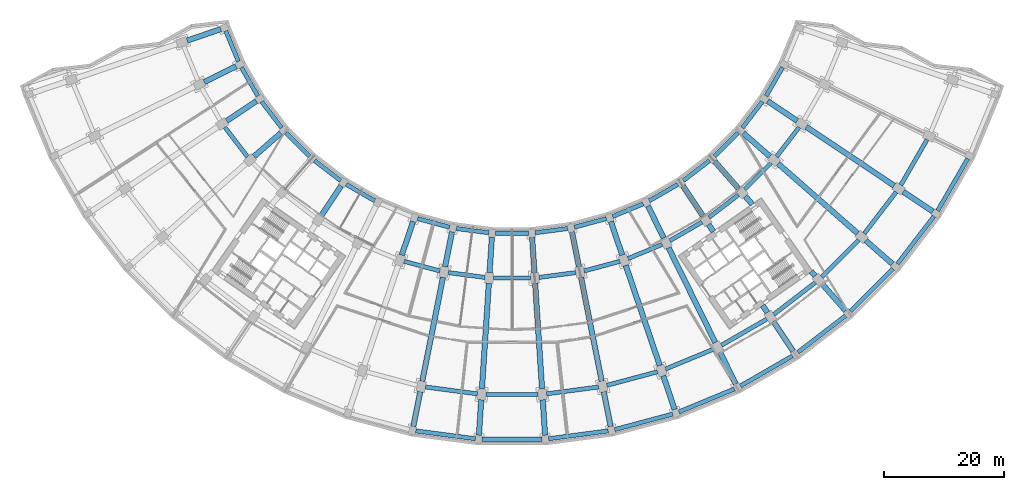
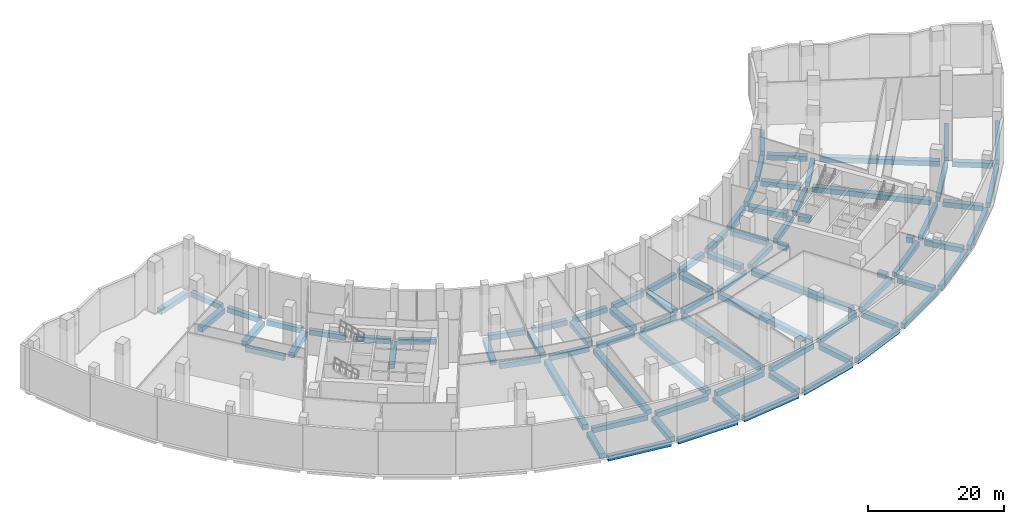
# One storey, part 2 of 19: 86 beams.
"""IFC4 building model written with IfcOpenShell, lengths in metres."""

from ifc_helpers import new_model, si_unit, direction, frame, origin, origin_2d, place, context, subcontext, project, spatial, rectangle, extrude, material, material_profile, profile_set, type_object, element, save


model = new_model("IFC4")

# Units and contexts
model_context = context("Model", 3, precision=1e-05, world=origin(), true_north=direction((0.0, 1.0)))
body_context = subcontext(model_context, "Body", "Model", "MODEL_VIEW")
ifc_project = project(units=[si_unit("LENGTHUNIT", "METRE"), si_unit("AREAUNIT", "SQUARE_METRE"), si_unit("VOLUMEUNIT", "CUBIC_METRE"), si_unit("PLANEANGLEUNIT", "RADIAN"), si_unit("MASSUNIT", "GRAM", prefix="KILO")], contexts=[model_context])

# Site, building, storey
site_placement = place(None, origin())
site = spatial("IfcSite", under=ifc_project, at=site_placement, CompositionType="ELEMENT")
building_placement = place(site_placement, origin())
building = spatial("IfcBuilding", under=site, at=building_placement, Name="Qamariyya Broadcast Tower", CompositionType="ELEMENT")
storey_placement = place(building_placement, frame((0.0, 0.0, 9.0)))
storey = spatial("IfcBuildingStorey", under=building, at=storey_placement, Name="L01", CompositionType="ELEMENT", Elevation=9.0)

# Beams
ifc_material = material(Name="Concrete C50/60", Category="concrete")
ifc_material_profile_1 = material_profile(ifc_material, rectangle(XDim=0.699951171875, YDim=0.89990234375, at=origin_2d()))
ifc_profile_set_1 = profile_set([ifc_material_profile_1], Name="Concrete C50/60")
beam_type_1 = type_object("IfcBeamType", Name="RC edge beam 700 x 900 C50/60", PredefinedType="SPANDREL", material=ifc_profile_set_1)
beam_1_placement = place(storey_placement, frame((-47.845703125, -16.822265625, -0.85009765625), z_axis=(0.382654292645, -0.92389160204, 0.0), x_axis=(0.92389160204, 0.382654292645, 0.0)))
element("IfcBeam", 1, at=beam_1_placement, inside=storey, type_object=beam_type_1, Name="Edge beam B2 L01 A R01-R02", PredefinedType="SPANDREL", context=body_context, shape_type="SweptSolid", body=[
    extrude(rectangle(XDim=0.699951171875, YDim=0.89990234375, at=origin_2d()), origin(), (0.0, 0.0, 1.0), 5.5361328125),
])
for number, where, z_axis, x_axis, name in (
    (2, (-45.24072265625, -22.923583984375, -0.85009765625), (0.500018944545, -0.86601446587, 0.0), (0.86601446587, 0.500018944545, 0.0), "Edge beam B2 L01 A R02-R03"),
    (3, (-41.861572265625, -28.632568359375, -0.85009765625), (0.60877682934, -0.793341522964, 0.0), (0.793341522964, 0.60877682934, 0.0), "Edge beam B2 L01 A R03-R04"),
):
    element("IfcBeam", number, at=place(storey_placement, frame(where, z_axis=z_axis, x_axis=x_axis)), inside=storey, type_object=beam_type_1, Name=name, PredefinedType="SPANDREL", context=body_context, shape_type="SweptSolid", body=[
        extrude(rectangle(XDim=0.699951171875, YDim=0.89990234375, at=origin_2d()), origin(), (0.0, 0.0, 1.0), 5.535888671875),
    ])
beam_2_placement = place(storey_placement, frame((-37.76611328125, -33.8515625, -0.85009765625), z_axis=(0.707106781187, -0.707106781187, 0.0), x_axis=(0.707106781187, 0.707106781187, 0.0)))
element("IfcBeam", 4, at=beam_2_placement, inside=storey, type_object=beam_type_1, Name="Edge beam B2 L01 A R04-R05", PredefinedType="SPANDREL", context=body_context, shape_type="SweptSolid", body=[
    extrude(rectangle(XDim=0.699951171875, YDim=0.89990234375, at=origin_2d()), origin(), (0.0, 0.0, 1.0), 5.5361328125),
])
for number, where, z_axis, x_axis, name in (
    (5, (-33.0244140625, -38.491455078125, -0.85009765625), (0.793341522964, -0.60877682934, 0.0), (0.60877682934, 0.793341522964, 0.0), "Edge beam B2 L01 A R05-R06"),
    (6, (-27.7177734375, -42.47265625, -0.85009765625), (0.86601446587, -0.500018944545, 0.0), (0.500018944545, 0.86601446587, 0.0), "Edge beam B2 L01 A R06-R07"),
    (7, (-15.78076171875, -48.199462890625, -0.85009765625), (0.965935650788, -0.25878237679, 0.0), (0.25878237679, 0.965935650788, 0.0), "Edge beam B2 L01 A R08-R09"),
    (8, (-9.354248046875, -49.8466796875, -0.85009765625), (0.991443033841, -0.130540072958, 0.0), (0.130540072958, 0.991443033841, 0.0), "Edge beam B2 L01 A R09-R10"),
):
    element("IfcBeam", number, at=place(storey_placement, frame(where, z_axis=z_axis, x_axis=x_axis)), inside=storey, type_object=beam_type_1, Name=name, PredefinedType="SPANDREL", context=body_context, shape_type="SweptSolid", body=[
        extrude(rectangle(XDim=0.699951171875, YDim=0.89990234375, at=origin_2d()), origin(), (0.0, 0.0, 1.0), 5.535888671875),
    ])
beam_3_placement = place(storey_placement, frame((-2.76806640625, -50.641357421875, -0.85009765625), z_axis=(1.0, 0.0, 0.0), x_axis=(0.0, 1.0, 0.0)))
element("IfcBeam", 9, at=beam_3_placement, inside=storey, type_object=beam_type_1, Name="Edge beam B2 L01 A R10-R11", PredefinedType="SPANDREL", context=body_context, shape_type="SweptSolid", body=[
    extrude(rectangle(XDim=0.699951171875, YDim=0.89990234375, at=origin_2d()), origin(), (0.0, 0.0, 1.0), 5.5361328125),
])
for number, where, z_axis, x_axis, name in (
    (10, (3.86572265625, -50.5693359375, -0.85009765625), (0.991443033841, 0.130540072958, 0.0), (-0.130540072958, 0.991443033841, 0.0), "Edge beam B2 L01 A R11-R12"),
    (11, (10.433349609375, -49.632080078125, -0.85009765625), (0.965935650788, 0.25878237679, 0.0), (-0.25878237679, 0.965935650788, 0.0), "Edge beam B2 L01 A R12-R13"),
):
    element("IfcBeam", number, at=place(storey_placement, frame(where, z_axis=z_axis, x_axis=x_axis)), inside=storey, type_object=beam_type_1, Name=name, PredefinedType="SPANDREL", context=body_context, shape_type="SweptSolid", body=[
        extrude(rectangle(XDim=0.699951171875, YDim=0.89990234375, at=origin_2d()), origin(), (0.0, 0.0, 1.0), 5.535888671875),
    ])
beam_4_placement = place(storey_placement, frame((16.822265625, -47.845703125, -0.85009765625), z_axis=(0.92389160204, 0.382654292645, 0.0), x_axis=(-0.382654292645, 0.92389160204, 0.0)))
element("IfcBeam", 12, at=beam_4_placement, inside=storey, type_object=beam_type_1, Name="Edge beam B2 L01 A R13-R14", PredefinedType="SPANDREL", context=body_context, shape_type="SweptSolid", body=[
    extrude(rectangle(XDim=0.699951171875, YDim=0.89990234375, at=origin_2d()), origin(), (0.0, 0.0, 1.0), 5.5361328125),
])
for number, where, z_axis, x_axis, name in (
    (13, (22.923583984375, -45.24072265625, -0.85009765625), (0.86601446587, 0.500018944545, 0.0), (-0.500018944545, 0.86601446587, 0.0), "Edge beam B2 L01 A R14-R15"),
    (14, (28.632568359375, -41.861572265625, -0.85009765625), (0.793341522964, 0.60877682934, 0.0), (-0.60877682934, 0.793341522964, 0.0), "Edge beam B2 L01 A R15-R16"),
):
    element("IfcBeam", number, at=place(storey_placement, frame(where, z_axis=z_axis, x_axis=x_axis)), inside=storey, type_object=beam_type_1, Name=name, PredefinedType="SPANDREL", context=body_context, shape_type="SweptSolid", body=[
        extrude(rectangle(XDim=0.699951171875, YDim=0.89990234375, at=origin_2d()), origin(), (0.0, 0.0, 1.0), 5.535888671875),
    ])
beam_5_placement = place(storey_placement, frame((33.8515625, -37.76611328125, -0.85009765625), z_axis=(0.707106781187, 0.707106781187, 0.0), x_axis=(-0.707106781187, 0.707106781187, 0.0)))
element("IfcBeam", 15, at=beam_5_placement, inside=storey, type_object=beam_type_1, Name="Edge beam B2 L01 A R16-R17", PredefinedType="SPANDREL", context=body_context, shape_type="SweptSolid", body=[
    extrude(rectangle(XDim=0.699951171875, YDim=0.89990234375, at=origin_2d()), origin(), (0.0, 0.0, 1.0), 5.5361328125),
])
for number, where, z_axis, x_axis, name in (
    (16, (38.491455078125, -33.0244140625, -0.85009765625), (0.60877682934, 0.793341522964, 0.0), (-0.793341522964, 0.60877682934, 0.0), "Edge beam B2 L01 A R17-R18"),
    (17, (42.47265625, -27.7177734375, -0.85009765625), (0.500018944545, 0.86601446587, 0.0), (-0.86601446587, 0.500018944545, 0.0), "Edge beam B2 L01 A R18-R19"),
):
    element("IfcBeam", number, at=place(storey_placement, frame(where, z_axis=z_axis, x_axis=x_axis)), inside=storey, type_object=beam_type_1, Name=name, PredefinedType="SPANDREL", context=body_context, shape_type="SweptSolid", body=[
        extrude(rectangle(XDim=0.699951171875, YDim=0.89990234375, at=origin_2d()), origin(), (0.0, 0.0, 1.0), 5.535888671875),
    ])
for number, where, z_axis, x_axis, name in (
    (18, (-48.006103515625, -32.91845703125, -0.85009765625), (0.608767052878, -0.793349024913, 0.0), (0.793349024913, 0.608767052878, 0.0), "Edge beam B2 L01 B R03-R04"),
    (19, (-18.046142578125, -55.34033203125, -0.85009765625), (0.965927891917, -0.258811335952, 0.0), (0.258811335952, 0.965927891917, 0.0), "Edge beam B2 L01 B R08-R09"),
    (20, (-10.66845703125, -57.222412109375, -0.85009765625), (0.991447744331, -0.130504292114, 0.0), (0.130504292114, 0.991447744331, 0.0), "Edge beam B2 L01 B R09-R10"),
):
    element("IfcBeam", number, at=place(storey_placement, frame(where, z_axis=z_axis, x_axis=x_axis)), inside=storey, type_object=beam_type_1, Name=name, PredefinedType="SPANDREL", context=body_context, shape_type="SweptSolid", body=[
        extrude(rectangle(XDim=0.699951171875, YDim=0.89990234375, at=origin_2d()), origin(), (0.0, 0.0, 1.0), 6.216552734375),
    ])
beam_6_placement = place(storey_placement, frame((-3.108154296875, -58.125244140625, -0.85009765625), z_axis=(1.0, 0.0, 0.0), x_axis=(0.0, 1.0, 0.0)))
element("IfcBeam", 21, at=beam_6_placement, inside=storey, type_object=beam_type_1, Name="Edge beam B2 L01 B R10-R11", PredefinedType="SPANDREL", context=body_context, shape_type="SweptSolid", body=[
    extrude(rectangle(XDim=0.699951171875, YDim=0.89990234375, at=origin_2d()), origin(), (0.0, 0.0, 1.0), 6.21630859375),
])
for number, where, z_axis, x_axis, name in (
    (22, (4.505126953125, -58.03369140625, -0.85009765625), (0.991447744331, 0.130504292114, 0.0), (-0.130504292114, 0.991447744331, 0.0), "Edge beam B2 L01 B R11-R12"),
    (23, (12.04150390625, -56.94921875, -0.85009765625), (0.965927891917, 0.258811335952, 0.0), (-0.258811335952, 0.965927891917, 0.0), "Edge beam B2 L01 B R12-R13"),
):
    element("IfcBeam", number, at=place(storey_placement, frame(where, z_axis=z_axis, x_axis=x_axis)), inside=storey, type_object=beam_type_1, Name=name, PredefinedType="SPANDREL", context=body_context, shape_type="SweptSolid", body=[
        extrude(rectangle(XDim=0.699951171875, YDim=0.89990234375, at=origin_2d()), origin(), (0.0, 0.0, 1.0), 6.216552734375),
    ])
for number, where, z_axis, x_axis, name in (
    (24, (19.3720703125, -54.89013671875, -0.85009765625), (0.92387897489, 0.38268477858, 0.0), (-0.38268477858, 0.92387897489, 0.0), "Edge beam B2 L01 B R13-R14"),
    (25, (26.370849609375, -51.89208984375, -0.85009765625), (0.86602796805, 0.499995558535, 0.0), (-0.499995558535, 0.86602796805, 0.0), "Edge beam B2 L01 B R14-R15"),
):
    element("IfcBeam", number, at=place(storey_placement, frame(where, z_axis=z_axis, x_axis=x_axis)), inside=storey, type_object=beam_type_1, Name=name, PredefinedType="SPANDREL", context=body_context, shape_type="SweptSolid", body=[
        extrude(rectangle(XDim=0.699951171875, YDim=0.89990234375, at=origin_2d()), origin(), (0.0, 0.0, 1.0), 6.21630859375),
    ])
for number, where, z_axis, x_axis, name in (
    (26, (32.91845703125, -48.006103515625, -0.85009765625), (0.793349024913, 0.608767052878, 0.0), (-0.608767052878, 0.793349024913, 0.0), "Edge beam B2 L01 B R15-R16"),
    (27, (38.90283203125, -43.298583984375, -0.85009765625), (0.707106781187, 0.707106781187, 0.0), (-0.707106781187, 0.707106781187, 0.0), "Edge beam B2 L01 B R16-R17"),
    (28, (44.2216796875, -37.850341796875, -0.85009765625), (0.608767052878, 0.793349024913, 0.0), (-0.793349024913, 0.608767052878, 0.0), "Edge beam B2 L01 B R17-R18"),
):
    element("IfcBeam", number, at=place(storey_placement, frame(where, z_axis=z_axis, x_axis=x_axis)), inside=storey, type_object=beam_type_1, Name=name, PredefinedType="SPANDREL", context=body_context, shape_type="SweptSolid", body=[
        extrude(rectangle(XDim=0.699951171875, YDim=0.89990234375, at=origin_2d()), origin(), (0.0, 0.0, 1.0), 6.216552734375),
    ])
for number, where, z_axis, x_axis, name in (
    (29, (-14.47265625, -76.34765625, -0.85009765625), (0.991445668121, -0.130520064222, 0.0), (0.130520064222, 0.991445668121, 0.0), "Edge beam B2 L01 C R09-R10"),
    (30, (-4.383544921875, -77.58349609375, -0.85009765625), (1.0, 0.0, 0.0), (0.0, 1.0, 0.0), "Edge beam B2 L01 C R10-R11"),
    (31, (5.780517578125, -77.491943359375, -0.85009765625), (0.991445668121, 0.130520064222, 0.0), (-0.130520064222, 0.991445668121, 0.0), "Edge beam B2 L01 C R11-R12"),
    (32, (15.845947265625, -76.074462890625, -0.85009765625), (0.965926422845, 0.258816818714, 0.0), (-0.258816818714, 0.965926422845, 0.0), "Edge beam B2 L01 C R12-R13"),
    (33, (25.64013671875, -73.35546875, -0.85009765625), (0.923869185896, 0.38270841035, 0.0), (-0.38270841035, 0.923869185896, 0.0), "Edge beam B2 L01 C R13-R14"),
):
    element("IfcBeam", number, at=place(storey_placement, frame(where, z_axis=z_axis, x_axis=x_axis)), inside=storey, type_object=beam_type_1, Name=name, PredefinedType="SPANDREL", context=body_context, shape_type="SweptSolid", body=[
        extrude(rectangle(XDim=0.699951171875, YDim=0.89990234375, at=origin_2d()), origin(), (0.0, 0.0, 1.0), 8.76708984375),
    ])
beam_7_placement = place(storey_placement, frame((34.995361328125, -69.381103515625, -0.85009765625), z_axis=(0.86603255856, 0.499987607361, 0.0), x_axis=(-0.499987607361, 0.86603255856, 0.0)))
element("IfcBeam", 34, at=beam_7_placement, inside=storey, type_object=beam_type_1, Name="Edge beam B2 L01 C R14-R15", PredefinedType="SPANDREL", context=body_context, shape_type="SweptSolid", body=[
    extrude(rectangle(XDim=0.699951171875, YDim=0.89990234375, at=origin_2d()), origin(), (0.0, 0.0, 1.0), 8.767333984375),
])
for number, where, z_axis, x_axis, name in (
    (35, (43.752197265625, -64.2197265625, -0.85009765625), (0.79334498231, 0.608772321187, 0.0), (-0.608772321187, 0.79334498231, 0.0), "Edge beam B2 L01 C R15-R16"),
    (36, (51.76025390625, -57.95947265625, -0.85009765625), (0.707106781187, 0.707106781187, 0.0), (-0.707106781187, 0.707106781187, 0.0), "Edge beam B2 L01 C R16-R17"),
    (37, (58.882568359375, -50.70751953125, -0.85009765625), (0.608772321187, 0.79334498231, 0.0), (-0.79334498231, 0.608772321187, 0.0), "Edge beam B2 L01 C R17-R18"),
):
    element("IfcBeam", number, at=place(storey_placement, frame(where, z_axis=z_axis, x_axis=x_axis)), inside=storey, type_object=beam_type_1, Name=name, PredefinedType="SPANDREL", context=body_context, shape_type="SweptSolid", body=[
        extrude(rectangle(XDim=0.699951171875, YDim=0.89990234375, at=origin_2d()), origin(), (0.0, 0.0, 1.0), 8.76708984375),
    ])
beam_8_placement = place(storey_placement, frame((64.99755859375, -42.588134765625, -0.85009765625), z_axis=(0.499987607361, 0.86603255856, 0.0), x_axis=(-0.86603255856, 0.499987607361, 0.0)))
element("IfcBeam", 38, at=beam_8_placement, inside=storey, type_object=beam_type_1, Name="Edge beam B2 L01 C R18-R19", PredefinedType="SPANDREL", context=body_context, shape_type="SweptSolid", body=[
    extrude(rectangle(XDim=0.699951171875, YDim=0.89990234375, at=origin_2d()), origin(), (0.0, 0.0, 1.0), 8.767333984375),
])
for number, where, z_axis, x_axis, name in (
    (39, (-16.0849609375, -83.683837890625, -0.85009765625), (0.991443211053, -0.130538727039, 0.0), (0.130538727039, 0.991443211053, 0.0), "Edge beam B2 L01 D R09-R10"),
    (40, (-5.0244140625, -85.0673828125, -0.85009765625), (1.0, 0.0, 0.0), (0.0, 1.0, 0.0), "Edge beam B2 L01 D R10-R11"),
    (41, (6.1220703125, -84.99560546875, -0.85009765625), (0.991443211053, 0.130538727039, 0.0), (-0.130538727039, 0.991443211053, 0.0), "Edge beam B2 L01 D R11-R12"),
    (42, (17.163818359375, -83.46923828125, -0.85009765625), (0.96592657939, 0.258816234475, 0.0), (-0.258816234475, 0.96592657939, 0.0), "Edge beam B2 L01 D R12-R13"),
    (43, (27.911865234375, -80.514892578125, -0.85009765625), (0.923882101991, 0.382677229034, 0.0), (-0.382677229034, 0.923882101991, 0.0), "Edge beam B2 L01 D R13-R14"),
    (44, (38.182373046875, -76.182861328125, -0.85009765625), (0.866027799164, 0.499995851058, 0.0), (-0.499995851058, 0.866027799164, 0.0), "Edge beam B2 L01 D R14-R15"),
):
    element("IfcBeam", number, at=place(storey_placement, frame(where, z_axis=z_axis, x_axis=x_axis)), inside=storey, type_object=beam_type_1, Name=name, PredefinedType="SPANDREL", context=body_context, shape_type="SweptSolid", body=[
        extrude(rectangle(XDim=0.699951171875, YDim=0.89990234375, at=origin_2d()), origin(), (0.0, 0.0, 1.0), 10.048828125),
    ])
for number, where, z_axis, x_axis, name in (
    (45, (47.799560546875, -70.54736328125, -0.85009765625), (0.793354077072, 0.608760468816, 0.0), (-0.608760468816, 0.793354077072, 0.0), "Edge beam B2 L01 D R15-R16"),
    (46, (56.598876953125, -63.70458984375, -0.85009765625), (0.707106781187, 0.707106781187, 0.0), (-0.707106781187, 0.707106781187, 0.0), "Edge beam B2 L01 D R16-R17"),
    (47, (64.429931640625, -55.77197265625, -0.85009765625), (0.608760468816, 0.793354077072, 0.0), (-0.793354077072, 0.608760468816, 0.0), "Edge beam B2 L01 D R17-R18"),
):
    element("IfcBeam", number, at=place(storey_placement, frame(where, z_axis=z_axis, x_axis=x_axis)), inside=storey, type_object=beam_type_1, Name=name, PredefinedType="SPANDREL", context=body_context, shape_type="SweptSolid", body=[
        extrude(rectangle(XDim=0.699951171875, YDim=0.89990234375, at=origin_2d()), origin(), (0.0, 0.0, 1.0), 10.049072265625),
    ])
beam_9_placement = place(storey_placement, frame((71.158447265625, -46.885009765625, -0.85009765625), z_axis=(0.499995851058, 0.866027799164, 0.0), x_axis=(-0.866027799164, 0.499995851058, 0.0)))
element("IfcBeam", 48, at=beam_9_placement, inside=storey, type_object=beam_type_1, Name="Edge beam B2 L01 D R18-R19", PredefinedType="SPANDREL", context=body_context, shape_type="SweptSolid", body=[
    extrude(rectangle(XDim=0.699951171875, YDim=0.89990234375, at=origin_2d()), origin(), (0.0, 0.0, 1.0), 10.048828125),
])
ifc_material_profile_2 = material_profile(ifc_material, rectangle(XDim=0.89990234375, YDim=0.89990234375, at=origin_2d()))
ifc_profile_set_2 = profile_set([ifc_material_profile_2], Name="Concrete C50/60")
beam_type_2 = type_object("IfcBeamType", Name="RC radial beam 900 x 900 C50/60", PredefinedType="BEAM", material=ifc_profile_set_2)
beam_10_placement = place(storey_placement, frame((-48.672119140625, -16.52197265625, -0.85009765625), z_axis=(-0.946929197619, -0.32144221051, 0.0), x_axis=(0.32144221051, -0.946929197619, 0.0)))
element("IfcBeam", 49, at=beam_10_placement, inside=storey, type_object=beam_type_2, Name="Radial beam B1 L01 R01 A-B", PredefinedType="BEAM", context=body_context, shape_type="SweptSolid", body=[
    extrude(rectangle(XDim=0.89990234375, YDim=0.89990234375, at=origin_2d()), origin(), (0.0, 0.0, 1.0), 5.949951171875),
])
beam_11_placement = place(storey_placement, frame((-46.099365234375, -22.733642578125, -0.85009765625), z_axis=(-0.896867525941, -0.442299266236, 0.0), x_axis=(0.442299266236, -0.896867525941, 0.0)))
element("IfcBeam", 50, at=beam_11_placement, inside=storey, type_object=beam_type_2, Name="Radial beam B1 L01 R02 A-B", PredefinedType="BEAM", context=body_context, shape_type="SweptSolid", body=[
    extrude(rectangle(XDim=0.89990234375, YDim=0.89990234375, at=origin_2d()), origin(), (0.0, 0.0, 1.0), 5.94970703125),
])
for number, where, z_axis, x_axis, name in (
    (51, (-42.737548828125, -28.556396484375, -0.85009765625), (-0.831469080044, -0.555571029599, 0.0), (0.555571029599, -0.831469080044, 0.0), "Radial beam B1 L01 R03 A-B"),
    (52, (-38.64453125, -33.890380859375, -0.85009765625), (-0.751836547498, -0.659349532377, 0.0), (0.659349532377, -0.751836547498, 0.0), "Radial beam B1 L01 R04 A-B"),
    (53, (-28.556396484375, -42.737548828125, -0.85009765625), (-0.555571029599, -0.831469080044, 0.0), (0.831469080044, -0.555571029599, 0.0), "Radial beam B1 L01 R06 A-B"),
    (54, (-16.52197265625, -48.672119140625, -0.85009765625), (-0.32144221051, -0.946929197619, 0.0), (0.946929197619, -0.32144221051, 0.0), "Radial beam B1 L01 R08 A-B"),
    (55, (-10.027587890625, -50.412353515625, -0.85009765625), (-0.195106018553, -0.980782158037, 0.0), (0.980782158037, -0.195106018553, 0.0), "Radial beam B1 L01 R09 A-B"),
):
    element("IfcBeam", number, at=place(storey_placement, frame(where, z_axis=z_axis, x_axis=x_axis)), inside=storey, type_object=beam_type_2, Name=name, PredefinedType="BEAM", context=body_context, shape_type="SweptSolid", body=[
        extrude(rectangle(XDim=0.89990234375, YDim=0.89990234375, at=origin_2d()), origin(), (0.0, 0.0, 1.0), 5.949951171875),
    ])
beam_12_placement = place(storey_placement, frame((-11.53955078125, -58.013427734375, -0.85009765625), z_axis=(-0.195092142495, -0.980784918286, 0.0), x_axis=(0.980784918286, -0.195092142495, 0.0)))
element("IfcBeam", 56, at=beam_12_placement, inside=storey, type_object=beam_type_2, Name="Radial beam B1 L01 R09 B-C", PredefinedType="BEAM", context=body_context, shape_type="SweptSolid", body=[
    extrude(rectangle(XDim=0.89990234375, YDim=0.89990234375, at=origin_2d()), origin(), (0.0, 0.0, 1.0), 17.699951171875),
])
for number, where, z_axis, x_axis, name in (
    (57, (-15.34375, -77.138671875, -0.85009765625), (-0.195106018553, -0.980782158037, 0.0), (0.980782158037, -0.195106018553, 0.0), "Radial beam B1 L01 R09 C-D"),
    (58, (-3.36181640625, -51.2900390625, -0.85009765625), (-0.065405111908, -0.997858793285, 0.0), (0.997858793285, -0.065405111908, 0.0), "Radial beam B1 L01 R10 A-B"),
):
    element("IfcBeam", number, at=place(storey_placement, frame(where, z_axis=z_axis, x_axis=x_axis)), inside=storey, type_object=beam_type_2, Name=name, PredefinedType="BEAM", context=body_context, shape_type="SweptSolid", body=[
        extrude(rectangle(XDim=0.89990234375, YDim=0.89990234375, at=origin_2d()), origin(), (0.0, 0.0, 1.0), 5.949951171875),
    ])
beam_13_placement = place(storey_placement, frame((-3.86865234375, -59.0234375, -0.85009765625), z_axis=(-0.065393841107, -0.997859531971, 0.0), x_axis=(0.997859531971, -0.065393841107, 0.0)))
element("IfcBeam", 59, at=beam_13_placement, inside=storey, type_object=beam_type_2, Name="Radial beam B1 L01 R10 B-C", PredefinedType="BEAM", context=body_context, shape_type="SweptSolid", body=[
    extrude(rectangle(XDim=0.89990234375, YDim=0.89990234375, at=origin_2d()), origin(), (0.0, 0.0, 1.0), 17.699951171875),
])
for number, where, z_axis, x_axis, name in (
    (60, (-5.14404296875, -78.481689453125, -0.85009765625), (-0.065405111908, -0.997858793285, 0.0), (0.997858793285, -0.065405111908, 0.0), "Radial beam B1 L01 R10 C-D"),
    (61, (3.36181640625, -51.2900390625, -0.85009765625), (0.065405111908, -0.997858793285, 0.0), (0.997858793285, 0.065405111908, 0.0), "Radial beam B1 L01 R11 A-B"),
):
    element("IfcBeam", number, at=place(storey_placement, frame(where, z_axis=z_axis, x_axis=x_axis)), inside=storey, type_object=beam_type_2, Name=name, PredefinedType="BEAM", context=body_context, shape_type="SweptSolid", body=[
        extrude(rectangle(XDim=0.89990234375, YDim=0.89990234375, at=origin_2d()), origin(), (0.0, 0.0, 1.0), 5.949951171875),
    ])
beam_14_placement = place(storey_placement, frame((3.86865234375, -59.0234375, -0.85009765625), z_axis=(0.065393841107, -0.997859531971, 0.0), x_axis=(0.997859531971, 0.065393841107, 0.0)))
element("IfcBeam", 62, at=beam_14_placement, inside=storey, type_object=beam_type_2, Name="Radial beam B1 L01 R11 B-C", PredefinedType="BEAM", context=body_context, shape_type="SweptSolid", body=[
    extrude(rectangle(XDim=0.89990234375, YDim=0.89990234375, at=origin_2d()), origin(), (0.0, 0.0, 1.0), 17.699951171875),
])
for number, where, z_axis, x_axis, name in (
    (63, (5.14404296875, -78.481689453125, -0.85009765625), (0.065405111908, -0.997858793285, 0.0), (0.997858793285, 0.065405111908, 0.0), "Radial beam B1 L01 R11 C-D"),
    (64, (10.027587890625, -50.412353515625, -0.85009765625), (0.195106018553, -0.980782158037, 0.0), (0.980782158037, 0.195106018553, 0.0), "Radial beam B1 L01 R12 A-B"),
):
    element("IfcBeam", number, at=place(storey_placement, frame(where, z_axis=z_axis, x_axis=x_axis)), inside=storey, type_object=beam_type_2, Name=name, PredefinedType="BEAM", context=body_context, shape_type="SweptSolid", body=[
        extrude(rectangle(XDim=0.89990234375, YDim=0.89990234375, at=origin_2d()), origin(), (0.0, 0.0, 1.0), 5.949951171875),
    ])
beam_15_placement = place(storey_placement, frame((11.53955078125, -58.013427734375, -0.85009765625), z_axis=(0.195092142495, -0.980784918286, 0.0), x_axis=(0.980784918286, 0.195092142495, 0.0)))
element("IfcBeam", 65, at=beam_15_placement, inside=storey, type_object=beam_type_2, Name="Radial beam B1 L01 R12 B-C", PredefinedType="BEAM", context=body_context, shape_type="SweptSolid", body=[
    extrude(rectangle(XDim=0.89990234375, YDim=0.89990234375, at=origin_2d()), origin(), (0.0, 0.0, 1.0), 17.699951171875),
])
for number, where, z_axis, x_axis, name in (
    (66, (15.34375, -77.138671875, -0.85009765625), (0.195106018553, -0.980782158037, 0.0), (0.980782158037, 0.195106018553, 0.0), "Radial beam B1 L01 R12 C-D"),
    (67, (16.52197265625, -48.672119140625, -0.85009765625), (0.32144221051, -0.946929197619, 0.0), (0.946929197619, 0.32144221051, 0.0), "Radial beam B1 L01 R13 A-B"),
):
    element("IfcBeam", number, at=place(storey_placement, frame(where, z_axis=z_axis, x_axis=x_axis)), inside=storey, type_object=beam_type_2, Name=name, PredefinedType="BEAM", context=body_context, shape_type="SweptSolid", body=[
        extrude(rectangle(XDim=0.89990234375, YDim=0.89990234375, at=origin_2d()), origin(), (0.0, 0.0, 1.0), 5.949951171875),
    ])
beam_16_placement = place(storey_placement, frame((19.01318359375, -56.010986328125, -0.85009765625), z_axis=(0.321441019674, -0.946929601856, 0.0), x_axis=(0.946929601856, 0.321441019674, 0.0)))
element("IfcBeam", 68, at=beam_16_placement, inside=storey, type_object=beam_type_2, Name="Radial beam B1 L01 R13 B-C", PredefinedType="BEAM", context=body_context, shape_type="SweptSolid", body=[
    extrude(rectangle(XDim=0.89990234375, YDim=0.89990234375, at=origin_2d()), origin(), (0.0, 0.0, 1.0), 17.699951171875),
])
beam_17_placement = place(storey_placement, frame((25.28125, -74.47607421875, -0.85009765625), z_axis=(0.32144221051, -0.946929197619, 0.0), x_axis=(0.946929197619, 0.32144221051, 0.0)))
element("IfcBeam", 69, at=beam_17_placement, inside=storey, type_object=beam_type_2, Name="Radial beam B1 L01 R13 C-D", PredefinedType="BEAM", context=body_context, shape_type="SweptSolid", body=[
    extrude(rectangle(XDim=0.89990234375, YDim=0.89990234375, at=origin_2d()), origin(), (0.0, 0.0, 1.0), 5.949951171875),
])
beam_18_placement = place(storey_placement, frame((22.733642578125, -46.099365234375, -0.85009765625), z_axis=(0.442299266236, -0.896867525941, 0.0), x_axis=(0.896867525941, 0.442299266236, 0.0)))
element("IfcBeam", 70, at=beam_18_placement, inside=storey, type_object=beam_type_2, Name="Radial beam B1 L01 R14 A-B", PredefinedType="BEAM", context=body_context, shape_type="SweptSolid", body=[
    extrude(rectangle(XDim=0.89990234375, YDim=0.89990234375, at=origin_2d()), origin(), (0.0, 0.0, 1.0), 5.94970703125),
])
beam_19_placement = place(storey_placement, frame((26.161376953125, -53.050048828125, -0.85009765625), z_axis=(0.442296435771, -0.896868921808, 0.0), x_axis=(0.896868921808, 0.442296435771, 0.0)))
element("IfcBeam", 71, at=beam_19_placement, inside=storey, type_object=beam_type_2, Name="Radial beam B1 L01 R14 B-C", PredefinedType="BEAM", context=body_context, shape_type="SweptSolid", body=[
    extrude(rectangle(XDim=0.89990234375, YDim=0.89990234375, at=origin_2d()), origin(), (0.0, 0.0, 1.0), 17.699951171875),
])
beam_20_placement = place(storey_placement, frame((34.785888671875, -70.5390625, -0.85009765625), z_axis=(0.442315994054, -0.896859276255, 0.0), x_axis=(0.896859276255, 0.442315994054, 0.0)))
element("IfcBeam", 72, at=beam_20_placement, inside=storey, type_object=beam_type_2, Name="Radial beam B1 L01 R14 C-D", PredefinedType="BEAM", context=body_context, shape_type="SweptSolid", body=[
    extrude(rectangle(XDim=0.89990234375, YDim=0.89990234375, at=origin_2d()), origin(), (0.0, 0.0, 1.0), 5.9501953125),
])
beam_21_placement = place(storey_placement, frame((28.556396484375, -42.737548828125, -0.85009765625), z_axis=(0.555571029599, -0.831469080044, 0.0), x_axis=(0.831469080044, 0.555571029599, 0.0)))
element("IfcBeam", 73, at=beam_21_placement, inside=storey, type_object=beam_type_2, Name="Radial beam B1 L01 R15 A-B", PredefinedType="BEAM", context=body_context, shape_type="SweptSolid", body=[
    extrude(rectangle(XDim=0.89990234375, YDim=0.89990234375, at=origin_2d()), origin(), (0.0, 0.0, 1.0), 5.949951171875),
])
beam_22_placement = place(storey_placement, frame((32.862060546875, -49.181396484375, -0.85009765625), z_axis=(0.555469378272, -0.831536992443, 0.0), x_axis=(0.831536992443, 0.555469378272, 0.0)))
element("IfcBeam", 74, at=beam_22_placement, inside=storey, type_object=beam_type_2, Name="Radial beam B1 L01 R15 B-C", PredefinedType="BEAM", context=body_context, shape_type="SweptSolid", body=[
    extrude(rectangle(XDim=0.89990234375, YDim=0.89990234375, at=origin_2d()), origin(), (0.0, 0.0, 1.0), 1.464599609375),
])
beam_23_placement = place(storey_placement, frame((41.89990234375, -62.707763671875, -0.85009765625), z_axis=(0.555604740558, -0.831446554067, 0.0), x_axis=(0.831446554067, 0.555604740558, 0.0)))
element("IfcBeam", 75, at=beam_23_placement, inside=storey, type_object=beam_type_2, Name="Radial beam B1 L01 R15 B-C", PredefinedType="BEAM", context=body_context, shape_type="SweptSolid", body=[
    extrude(rectangle(XDim=0.89990234375, YDim=0.89990234375, at=origin_2d()), origin(), (0.0, 0.0, 1.0), 1.43212890625),
])
for number, where, z_axis, x_axis, name in (
    (76, (43.695556640625, -65.39501953125, -0.85009765625), (0.555571029599, -0.831469080044, 0.0), (0.831469080044, 0.555571029599, 0.0), "Radial beam B1 L01 R15 C-D"),
    (77, (33.890380859375, -38.64453125, -0.85009765625), (0.659349532377, -0.751836547498, 0.0), (0.751836547498, 0.659349532377, 0.0), "Radial beam B1 L01 R16 A-B"),
):
    element("IfcBeam", number, at=place(storey_placement, frame(where, z_axis=z_axis, x_axis=x_axis)), inside=storey, type_object=beam_type_2, Name=name, PredefinedType="BEAM", context=body_context, shape_type="SweptSolid", body=[
        extrude(rectangle(XDim=0.89990234375, YDim=0.89990234375, at=origin_2d()), origin(), (0.0, 0.0, 1.0), 5.949951171875),
    ])
beam_24_placement = place(storey_placement, frame((39.000244140625, -44.471435546875, -0.85009765625), z_axis=(0.65939107141, -0.751800116351, 0.0), x_axis=(0.751800116351, 0.65939107141, 0.0)))
element("IfcBeam", 78, at=beam_24_placement, inside=storey, type_object=beam_type_2, Name="Radial beam B1 L01 R16 B-C", PredefinedType="BEAM", context=body_context, shape_type="SweptSolid", body=[
    extrude(rectangle(XDim=0.89990234375, YDim=0.89990234375, at=origin_2d()), origin(), (0.0, 0.0, 1.0), 1.8125),
])
beam_25_placement = place(storey_placement, frame((50.011962890625, -57.027587890625, -0.85009765625), z_axis=(0.659282746956, -0.751895112077, 0.0), x_axis=(0.751895112077, 0.659282746956, 0.0)))
element("IfcBeam", 79, at=beam_25_placement, inside=storey, type_object=beam_type_2, Name="Radial beam B1 L01 R16 B-C", PredefinedType="BEAM", context=body_context, shape_type="SweptSolid", body=[
    extrude(rectangle(XDim=0.89990234375, YDim=0.89990234375, at=origin_2d()), origin(), (0.0, 0.0, 1.0), 0.9990234375),
])
beam_26_placement = place(storey_placement, frame((51.857666015625, -59.132080078125, -0.85009765625), z_axis=(0.659329192059, -0.75185438517, 0.0), x_axis=(0.75185438517, 0.659329192059, 0.0)))
element("IfcBeam", 80, at=beam_26_placement, inside=storey, type_object=beam_type_2, Name="Radial beam B1 L01 R16 C-D", PredefinedType="BEAM", context=body_context, shape_type="SweptSolid", body=[
    extrude(rectangle(XDim=0.89990234375, YDim=0.89990234375, at=origin_2d()), origin(), (0.0, 0.0, 1.0), 5.9501953125),
])
beam_27_placement = place(storey_placement, frame((38.64453125, -33.890380859375, -0.85009765625), z_axis=(0.751836547498, -0.659349532377, 0.0), x_axis=(0.659349532377, 0.751836547498, 0.0)))
element("IfcBeam", 81, at=beam_27_placement, inside=storey, type_object=beam_type_2, Name="Radial beam B1 L01 R17 A-B", PredefinedType="BEAM", context=body_context, shape_type="SweptSolid", body=[
    extrude(rectangle(XDim=0.89990234375, YDim=0.89990234375, at=origin_2d()), origin(), (0.0, 0.0, 1.0), 5.949951171875),
])
beam_28_placement = place(storey_placement, frame((44.471435546875, -39.000244140625, -0.85009765625), z_axis=(0.751835404461, -0.659350835746, 0.0), x_axis=(0.659350835746, 0.751835404461, 0.0)))
element("IfcBeam", 82, at=beam_28_placement, inside=storey, type_object=beam_type_2, Name="Radial beam B1 L01 R17 B-C", PredefinedType="BEAM", context=body_context, shape_type="SweptSolid", body=[
    extrude(rectangle(XDim=0.89990234375, YDim=0.89990234375, at=origin_2d()), origin(), (0.0, 0.0, 1.0), 17.699951171875),
])
beam_29_placement = place(storey_placement, frame((59.132080078125, -51.857666015625, -0.85009765625), z_axis=(0.75185438517, -0.659329192059, 0.0), x_axis=(0.659329192059, 0.75185438517, 0.0)))
element("IfcBeam", 83, at=beam_29_placement, inside=storey, type_object=beam_type_2, Name="Radial beam B1 L01 R17 C-D", PredefinedType="BEAM", context=body_context, shape_type="SweptSolid", body=[
    extrude(rectangle(XDim=0.89990234375, YDim=0.89990234375, at=origin_2d()), origin(), (0.0, 0.0, 1.0), 5.9501953125),
])
beam_30_placement = place(storey_placement, frame((42.737548828125, -28.556396484375, -0.85009765625), z_axis=(0.831469080044, -0.555571029599, 0.0), x_axis=(0.555571029599, 0.831469080044, 0.0)))
element("IfcBeam", 84, at=beam_30_placement, inside=storey, type_object=beam_type_2, Name="Radial beam B1 L01 R18 A-B", PredefinedType="BEAM", context=body_context, shape_type="SweptSolid", body=[
    extrude(rectangle(XDim=0.89990234375, YDim=0.89990234375, at=origin_2d()), origin(), (0.0, 0.0, 1.0), 5.949951171875),
])
beam_31_placement = place(storey_placement, frame((49.181396484375, -32.862060546875, -0.85009765625), z_axis=(0.831472648212, -0.555565689433, 0.0), x_axis=(0.555565689433, 0.831472648212, 0.0)))
element("IfcBeam", 85, at=beam_31_placement, inside=storey, type_object=beam_type_2, Name="Radial beam B1 L01 R18 B-C", PredefinedType="BEAM", context=body_context, shape_type="SweptSolid", body=[
    extrude(rectangle(XDim=0.89990234375, YDim=0.89990234375, at=origin_2d()), origin(), (0.0, 0.0, 1.0), 17.699951171875),
])
beam_32_placement = place(storey_placement, frame((65.39501953125, -43.695556640625, -0.85009765625), z_axis=(0.831469080044, -0.555571029599, 0.0), x_axis=(0.555571029599, 0.831469080044, 0.0)))
element("IfcBeam", 86, at=beam_32_placement, inside=storey, type_object=beam_type_2, Name="Radial beam B1 L01 R18 C-D", PredefinedType="BEAM", context=body_context, shape_type="SweptSolid", body=[
    extrude(rectangle(XDim=0.89990234375, YDim=0.89990234375, at=origin_2d()), origin(), (0.0, 0.0, 1.0), 5.949951171875),
])

save(model, "model.ifc")
